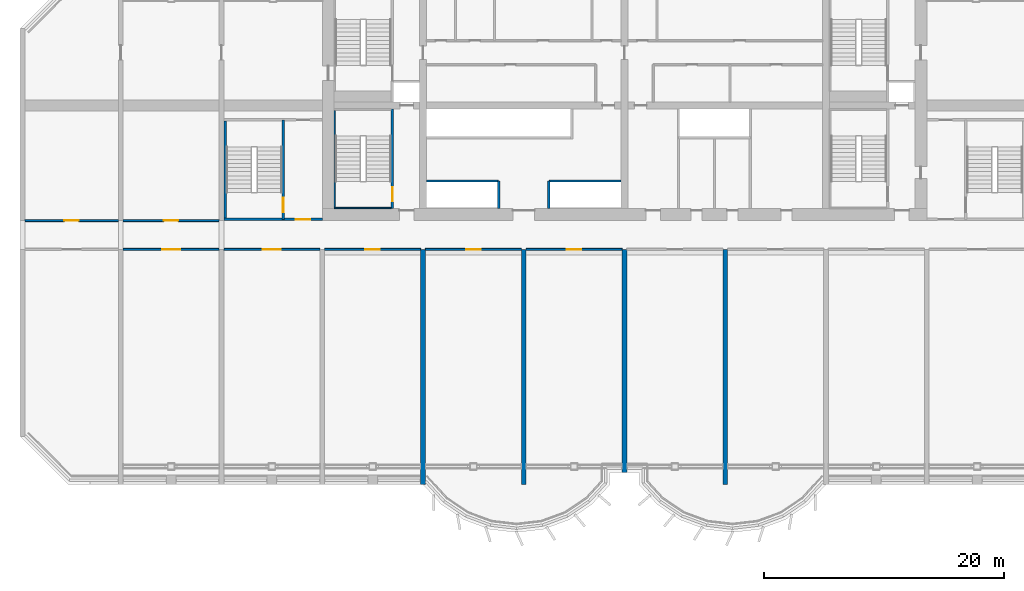
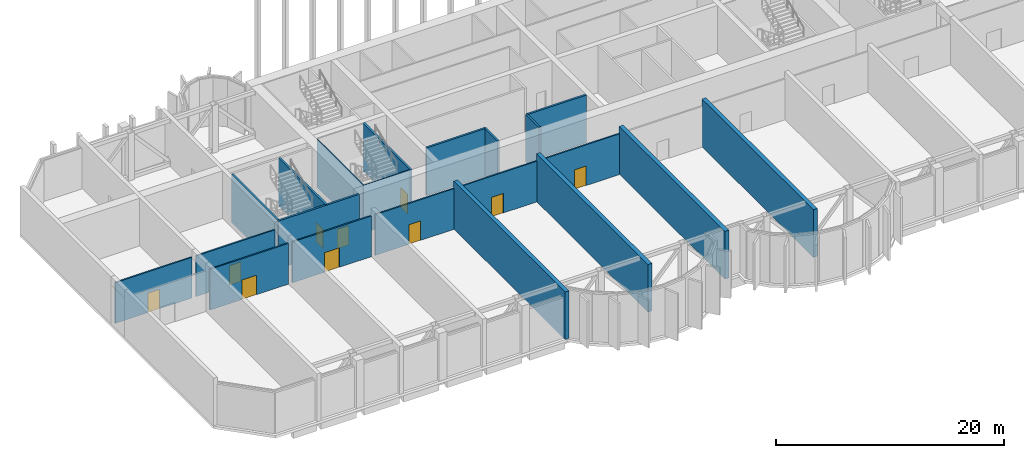
# One storey, part 5 of 17: 21 walls, 10 doors, 10 openings.
"""IFC4 building model written with IfcOpenShell, lengths in metres."""

from ifc_helpers import new_model, si_unit, direction, frame, frame_2d, origin, place, context, subcontext, project, spatial, rectangle, extrude, source, transform, mapped, material, layer, layer_set, type_object, element, fill, save


model = new_model("IFC4")

# Units and contexts
model_context = context("Model", 3, precision=1e-05, world=origin(), true_north=direction((0.0, 1.0)))
body_context = subcontext(model_context, "Body", "Model", "MODEL_VIEW")
ifc_project = project(units=[si_unit("LENGTHUNIT", "METRE"), si_unit("AREAUNIT", "SQUARE_METRE"), si_unit("VOLUMEUNIT", "CUBIC_METRE"), si_unit("PLANEANGLEUNIT", "RADIAN"), si_unit("MASSUNIT", "GRAM", prefix="KILO")], contexts=[model_context])

# Site, building, storey
site_placement = place(None, origin())
site = spatial("IfcSite", under=ifc_project, at=site_placement, CompositionType="ELEMENT")
building_placement = place(site_placement, origin())
building = spatial("IfcBuilding", under=site, at=building_placement, Name="Vanashikhar Sky Hotel", CompositionType="ELEMENT")
storey_placement = place(building_placement, frame((0.0, 0.0, 81.0)))
storey = spatial("IfcBuildingStorey", under=building, at=storey_placement, Name="L19", CompositionType="ELEMENT", Elevation=81.0)

# Walls
ifc_material_1 = material(Name="Concrete M80", Category="concrete")
ifc_layer_1 = layer(ifc_material_1, 0.39990234375)
ifc_layer_set_1 = layer_set([ifc_layer_1], Name="RC shear wall 400 Concrete M80")
wall_type_1 = type_object("IfcWallType", Name="RC shear wall 400 Concrete M80", PredefinedType="SHEAR", material=ifc_layer_set_1)
shared_shape_1 = source(origin(), body_context, "Body", "SweptSolid", [
    extrude(rectangle(XDim=19.60009765625, YDim=0.39990234375, at=frame_2d((9.800048828125, 0.0))), origin(), (0.0, 0.0, 1.0), 5.1201171875),
])
for number, where, z_axis, x_axis, name in (
    (1, (33.60009765625, 0.0, 0.0), (0.0, 0.0, 1.0), (0.0, 1.0, 0.0), "CW-L19-XW05-1"),
    (2, (42.0, 0.0, 0.0), (0.0, 0.0, 1.0), (0.0, 1.0, 0.0), "CW-L19-XW06-1"),
    (3, (58.800048828125, 0.0, 0.0), (0.0, 0.0, 1.0), (0.0, 1.0, 0.0), "CW-L19-XW08-1"),
):
    element("IfcWall", number, at=place(storey_placement, frame(where, z_axis=z_axis, x_axis=x_axis)), inside=storey, type_object=wall_type_1, Name=name, PredefinedType="SHEAR", context=body_context, shape_type="MappedRepresentation", body=[
        mapped(shared_shape_1, transform((0.0, 0.0, 0.0), scale=1.0)),
    ])
shared_shape_2 = source(origin(), body_context, "Body", "SweptSolid", [
    extrude(rectangle(XDim=18.60009765625, YDim=0.39990234375, at=frame_2d((9.300048828125, 0.0))), origin(), (0.0, 0.0, 1.0), 5.1201171875),
])
wall_1_placement = place(storey_placement, frame((50.39990234375, 1.0, 0.0), z_axis=(0.0, 0.0, 1.0), x_axis=(0.0, 1.0, 0.0)))
element("IfcWall", 4, at=wall_1_placement, inside=storey, type_object=wall_type_1, Name="CW-L19-XW07-1", PredefinedType="SHEAR", context=body_context, shape_type="MappedRepresentation", body=[
    mapped(shared_shape_2, transform((0.0, 0.0, 0.0), scale=1.0)),
])
ifc_material_2 = material(Name="Concrete M40", Category="concrete")
ifc_layer_2 = layer(ifc_material_2, 0.199951171875)
ifc_layer_set_2 = layer_set([ifc_layer_2], Name="Shaft wall 200")
wall_type_2 = type_object("IfcWallType", Name="Shaft wall 200", PredefinedType="SOLIDWALL", material=ifc_layer_set_2)
shared_shape_3 = source(origin(), body_context, "Body", "SweptSolid", [
    extrude(rectangle(XDim=6.0, YDim=0.199951171875, at=frame_2d((3.0, 0.0))), origin(), (0.0, 0.0, 1.0), 5.1201171875),
])
wall_2_placement = place(storey_placement, frame((44.10009765625, 25.300048828125, 0.0), z_axis=(0.0, 0.0, 1.0), x_axis=(1.0, 0.0, 0.0)))
element("IfcWall", 5, at=wall_2_placement, inside=storey, type_object=wall_type_2, Name="Shaft wall 200", PredefinedType="SOLIDWALL", context=body_context, shape_type="MappedRepresentation", body=[
    mapped(shared_shape_3, transform((0.0, 0.0, 0.0), scale=1.0)),
])

# Wall, opening, door
ifc_material_3 = material(Name="Concrete M50", Category="concrete")
ifc_layer_3 = layer(ifc_material_3, 0.199951171875)
ifc_layer_set_3 = layer_set([ifc_layer_3], Name="Stair wall 200")
wall_type_3 = type_object("IfcWallType", Name="Stair wall 200", PredefinedType="SOLIDWALL", material=ifc_layer_set_3)
shared_shape_4 = source(origin(), body_context, "Body", "SweptSolid", [
    extrude(rectangle(XDim=8.199951171875, YDim=0.199951171875, at=frame_2d((4.10009765625, 0.0))), origin(), (0.0, 0.0, 1.0), 5.1201171875),
])
wall_3_placement = place(storey_placement, frame((17.0, 22.10009765625, 0.0), z_axis=(0.0, 0.0, 1.0), x_axis=(1.0, 0.0, 0.0)))
wall_3 = element("IfcWall", 6, at=wall_3_placement, inside=storey, type_object=wall_type_3, Name="Stair wall 200", PredefinedType="SOLIDWALL", context=body_context, shape_type="MappedRepresentation", body=[
    mapped(shared_shape_4, transform((0.0, 0.0, 0.0), scale=1.0)),
])
shared_shape_5 = source(origin(), body_context, "Body", "SweptSolid", [
    extrude(rectangle(XDim=1.199951171875, YDim=2.10009765625, at=frame_2d((0.60009765625, 1.050048828125))), frame((0.0, 0.10986328125, 0.0), z_axis=(0.0, -1.0, 0.0), x_axis=(1.0, 0.0, 0.0)), (0.0, 0.0, 1.0), 0.219970703125),
])
opening_1_placement = place(wall_3_placement, frame((6.0, 0.0, 0.0)))
opening_1 = element("IfcOpeningElement", 7, at=opening_1_placement, cuts=wall_3, Name="Opening DC-2", PredefinedType="OPENING", context=body_context, shape_type="MappedRepresentation", body=[
    mapped(shared_shape_5, transform((0.0, 0.0, 0.0), scale=1.0)),
])
ifc_material_4 = material(Name="Steel", Category="steel")
door_type_1 = type_object("IfcDoorType", Name="Firefighting lobby door 1200 FD120", OperationType="NOTDEFINED", PredefinedType="DOOR", material=ifc_material_4)
shared_shape_6 = source(origin(), body_context, "Body", "SweptSolid", [
    extrude(rectangle(XDim=1.199951171875, YDim=2.10009765625, at=frame_2d((0.60009765625, 1.050048828125))), frame((0.0, 0.02490234375, 0.0), z_axis=(0.0, -1.0, 0.0), x_axis=(1.0, 0.0, 0.0)), (0.0, 0.0, 1.0), 0.050048828125),
])
door_1_placement = place(opening_1_placement, origin())
door_1 = element("IfcDoor", 8, at=door_1_placement, inside=storey, type_object=door_type_1, Name="Firefighting lobby door 1200 FD120", OperationType="SINGLE_SWING_RIGHT", OverallHeight=2.10009765625, OverallWidth=1.199951171875, PredefinedType="DOOR", context=body_context, shape_type="MappedRepresentation", body=[
    mapped(shared_shape_6, transform((0.0, 0.0, 0.0), scale=1.0)),
])
fill(opening_1, door_1)

shared_shape_7 = source(origin(), body_context, "Body", "SweptSolid", [
    extrude(rectangle(XDim=8.2998046875, YDim=0.199951171875, at=frame_2d((4.14990234375, 0.0))), origin(), (0.0, 0.0, 1.0), 5.1201171875),
])
wall_4_placement = place(storey_placement, frame((21.949951171875, 22.10009765625, 0.0), z_axis=(0.0, 0.0, 1.0), x_axis=(0.0, 1.0, 0.0)))
wall_4 = element("IfcWall", 9, at=wall_4_placement, inside=storey, type_object=wall_type_3, Name="Stair wall 200", PredefinedType="SOLIDWALL", context=body_context, shape_type="MappedRepresentation", body=[
    mapped(shared_shape_7, transform((0.0, 0.0, 0.0), scale=1.0)),
])
opening_2_placement = place(wall_4_placement, frame((0.60009765625, 0.0, 0.0)))
opening_2 = element("IfcOpeningElement", 10, at=opening_2_placement, cuts=wall_4, Name="Opening DC-1", PredefinedType="OPENING", context=body_context, shape_type="MappedRepresentation", body=[
    mapped(shared_shape_5, transform((0.0, 0.0, 0.0), scale=1.0)),
])
door_type_2 = type_object("IfcDoorType", Name="Stair door 1200 FD120", OperationType="NOTDEFINED", PredefinedType="DOOR", material=ifc_material_4)
door_2_placement = place(opening_2_placement, origin())
door_2 = element("IfcDoor", 11, at=door_2_placement, inside=storey, type_object=door_type_2, Name="Stair door 1200 FD120", OperationType="SINGLE_SWING_LEFT", OverallHeight=2.10009765625, OverallWidth=1.199951171875, PredefinedType="DOOR", context=body_context, shape_type="MappedRepresentation", body=[
    mapped(shared_shape_6, transform((0.0, 0.0, 0.0), scale=1.0)),
])
fill(opening_2, door_2)

# Walls
ifc_layer_4 = layer(ifc_material_3, 0.10009765625)
ifc_layer_set_4 = layer_set([ifc_layer_4], Name="Stair infill wall 100")
wall_type_4 = type_object("IfcWallType", Name="Stair infill wall 100", PredefinedType="SOLIDWALL", material=ifc_layer_set_4)
shared_shape_8 = source(origin(), body_context, "Body", "SweptSolid", [
    extrude(rectangle(XDim=4.75, YDim=0.10009765625, at=frame_2d((2.375, 0.0))), origin(), (0.0, 0.0, 1.0), 5.1201171875),
])
wall_5_placement = place(storey_placement, frame((26.199951171875, 23.050048828125, 0.0), z_axis=(0.0, 0.0, 1.0), x_axis=(1.0, 0.0, 0.0)))
element("IfcWall", 12, at=wall_5_placement, inside=storey, type_object=wall_type_4, Name="Stair infill wall 100", PredefinedType="SOLIDWALL", context=body_context, shape_type="MappedRepresentation", body=[
    mapped(shared_shape_8, transform((0.0, 0.0, 0.0), scale=1.0)),
])
shared_shape_9 = source(origin(), body_context, "Body", "SweptSolid", [
    extrude(rectangle(XDim=8.099853515625, YDim=0.10009765625, at=frame_2d((4.0498046875, 0.0))), origin(), (0.0, 0.0, 1.0), 5.1201171875),
])
wall_6_placement = place(storey_placement, frame((26.25, 23.10009765625, 0.0), z_axis=(0.0, 0.0, 1.0), x_axis=(0.0, 1.0, 0.0)))
element("IfcWall", 13, at=wall_6_placement, inside=storey, type_object=wall_type_4, Name="Stair infill wall 100", PredefinedType="SOLIDWALL", context=body_context, shape_type="MappedRepresentation", body=[
    mapped(shared_shape_9, transform((0.0, 0.0, 0.0), scale=1.0)),
])
shared_shape_10 = source(origin(), body_context, "Body", "SweptSolid", [
    extrude(rectangle(XDim=6.02490234375, YDim=0.199951171875, at=frame_2d((3.012451171875, 0.0))), origin(), (0.0, 0.0, 1.0), 5.1201171875),
])
wall_7_placement = place(storey_placement, frame((33.875, 25.300048828125, 0.0), z_axis=(0.0, 0.0, 1.0), x_axis=(1.0, 0.0, 0.0)))
element("IfcWall", 14, at=wall_7_placement, inside=storey, type_object=wall_type_2, Name="Shaft wall 200", PredefinedType="SOLIDWALL", context=body_context, shape_type="MappedRepresentation", body=[
    mapped(shared_shape_10, transform((0.0, 0.0, 0.0), scale=1.0)),
])
shared_shape_11 = source(origin(), body_context, "Body", "SweptSolid", [
    extrude(rectangle(XDim=2.300048828125, YDim=0.199951171875, at=frame_2d((1.14990234375, 0.0))), origin(), (0.0, 0.0, 1.0), 5.1201171875),
])
for number, where, z_axis, x_axis, name in (
    (15, (39.89990234375, 23.0, 0.0), (0.0, 0.0, 1.0), (0.0, 1.0, 0.0), "Shaft wall 200"),
    (16, (44.10009765625, 23.0, 0.0), (0.0, 0.0, 1.0), (0.0, 1.0, 0.0), "Shaft wall 200"),
):
    element("IfcWall", number, at=place(storey_placement, frame(where, z_axis=z_axis, x_axis=x_axis)), inside=storey, type_object=wall_type_2, Name=name, PredefinedType="SOLIDWALL", context=body_context, shape_type="MappedRepresentation", body=[
        mapped(shared_shape_11, transform((0.0, 0.0, 0.0), scale=1.0)),
    ])

# Wall, opening, door
shared_shape_12 = source(origin(), body_context, "Body", "SweptSolid", [
    extrude(rectangle(XDim=8.324951171875, YDim=0.199951171875, at=frame_2d((4.16259765625, 0.0))), origin(), (0.0, 0.0, 1.0), 5.1201171875),
])
wall_8_placement = place(storey_placement, frame((31.050048828125, 23.0, 0.0), z_axis=(0.0, 0.0, 1.0), x_axis=(0.0, 1.0, 0.0)))
wall_8 = element("IfcWall", 17, at=wall_8_placement, inside=storey, type_object=wall_type_3, Name="Stair wall 200", PredefinedType="SOLIDWALL", context=body_context, shape_type="MappedRepresentation", body=[
    mapped(shared_shape_12, transform((0.0, 0.0, 0.0), scale=1.0)),
])
opening_3_placement = place(wall_8_placement, frame((0.60009765625, 0.0, 0.0)))
opening_3 = element("IfcOpeningElement", 18, at=opening_3_placement, cuts=wall_8, Name="Opening DC-1", PredefinedType="OPENING", context=body_context, shape_type="MappedRepresentation", body=[
    mapped(shared_shape_5, transform((0.0, 0.0, 0.0), scale=1.0)),
])
door_3_placement = place(opening_3_placement, origin())
door_3 = element("IfcDoor", 19, at=door_3_placement, inside=storey, type_object=door_type_2, Name="Stair door 1200 FD120", OperationType="SINGLE_SWING_LEFT", OverallHeight=2.10009765625, OverallWidth=1.199951171875, PredefinedType="DOOR", context=body_context, shape_type="MappedRepresentation", body=[
    mapped(shared_shape_6, transform((0.0, 0.0, 0.0), scale=1.0)),
])
fill(opening_3, door_3)

# Wall
ifc_layer_5 = layer(ifc_material_3, 0.199951171875)
ifc_layer_set_5 = layer_set([ifc_layer_5], Name="Stair infill wall 200")
wall_type_5 = type_object("IfcWallType", Name="Stair infill wall 200", PredefinedType="SOLIDWALL", material=ifc_layer_set_5)
shared_shape_13 = source(origin(), body_context, "Body", "SweptSolid", [
    extrude(rectangle(XDim=8.10009765625, YDim=0.199951171875, at=frame_2d((4.050048828125, 0.0))), origin(), (0.0, 0.0, 1.0), 5.1201171875),
])
wall_9_placement = place(storey_placement, frame((17.10009765625, 22.199951171875, 0.0), z_axis=(0.0, 0.0, 1.0), x_axis=(0.0, 1.0, 0.0)))
element("IfcWall", 20, at=wall_9_placement, inside=storey, type_object=wall_type_5, Name="Stair infill wall 200", PredefinedType="SOLIDWALL", context=body_context, shape_type="MappedRepresentation", body=[
    mapped(shared_shape_13, transform((0.0, 0.0, 0.0), scale=1.0)),
])

# Wall, opening, door
ifc_material_5 = material(Name="Gypsum board partition")
ifc_layer_6 = layer(ifc_material_5, 0.14990234375)
ifc_layer_set_6 = layer_set([ifc_layer_6], Name="Service partition 150")
wall_type_6 = type_object("IfcWallType", Name="Service partition 150", PredefinedType="PARTITIONING", material=ifc_layer_set_6)
shared_shape_14 = source(origin(), body_context, "Body", "SweptSolid", [
    extrude(rectangle(XDim=7.800048828125, YDim=0.14990234375, at=frame_2d((3.89990234375, 0.0))), origin(), (0.0, 0.0, 1.0), 4.3701171875),
])
wall_10_placement = place(storey_placement, frame((0.39990234375, 22.0, 0.0), z_axis=(0.0, 0.0, 1.0), x_axis=(1.0, 0.0, 0.0)))
wall_10 = element("IfcWall", 21, at=wall_10_placement, inside=storey, type_object=wall_type_6, Name="Service partition 150", PredefinedType="PARTITIONING", context=body_context, shape_type="MappedRepresentation", body=[
    mapped(shared_shape_14, transform((0.0, 0.0, 0.0), scale=1.0)),
])
shared_shape_15 = source(origin(), body_context, "Body", "SweptSolid", [
    extrude(rectangle(XDim=1.199951171875, YDim=2.10009765625, at=frame_2d((0.60009765625, 1.050048828125))), frame((0.0, 0.0849609375, 0.0), z_axis=(0.0, -1.0, 0.0), x_axis=(1.0, 0.0, 0.0)), (0.0, 0.0, 1.0), 0.169921875),
])
opening_4_placement = place(wall_10_placement, frame((3.300048828125, 0.0, 0.0)))
opening_4 = element("IfcOpeningElement", 22, at=opening_4_placement, cuts=wall_10, Name="Opening DC-4-D", PredefinedType="OPENING", context=body_context, shape_type="MappedRepresentation", body=[
    mapped(shared_shape_15, transform((0.0, 0.0, 0.0), scale=1.0)),
])
door_type_3 = type_object("IfcDoorType", Name="Service door 1200 FD120", OperationType="NOTDEFINED", PredefinedType="DOOR", material=ifc_material_4)
door_4_placement = place(opening_4_placement, origin())
door_4 = element("IfcDoor", 23, at=door_4_placement, inside=storey, type_object=door_type_3, Name="Service door 1200 FD120", OperationType="SINGLE_SWING_RIGHT", OverallHeight=2.10009765625, OverallWidth=1.199951171875, PredefinedType="DOOR", context=body_context, shape_type="MappedRepresentation", body=[
    mapped(shared_shape_6, transform((0.0, 0.0, 0.0), scale=1.0)),
])
fill(opening_4, door_4)

shared_shape_16 = source(origin(), body_context, "Body", "SweptSolid", [
    extrude(rectangle(XDim=8.0, YDim=0.14990234375, at=frame_2d((4.0, 0.0))), origin(), (0.0, 0.0, 1.0), 4.3701171875),
])
wall_11_placement = place(storey_placement, frame((8.60009765625, 19.60009765625, 0.0), z_axis=(0.0, 0.0, 1.0), x_axis=(1.0, 0.0, 0.0)))
wall_11 = element("IfcWall", 24, at=wall_11_placement, inside=storey, type_object=wall_type_6, Name="Service partition 150", PredefinedType="PARTITIONING", context=body_context, shape_type="MappedRepresentation", body=[
    mapped(shared_shape_16, transform((0.0, 0.0, 0.0), scale=1.0)),
])
shared_shape_17 = source(origin(), body_context, "Body", "SweptSolid", [
    extrude(rectangle(XDim=1.5, YDim=2.10009765625, at=frame_2d((0.75, 1.050048828125))), frame((0.0, 0.0849609375, 0.0), z_axis=(0.0, -1.0, 0.0), x_axis=(1.0, 0.0, 0.0)), (0.0, 0.0, 1.0), 0.169921875),
])
opening_5_placement = place(wall_11_placement, frame((3.25, 0.0, 0.0)))
opening_5 = element("IfcOpeningElement", 25, at=opening_5_placement, cuts=wall_11, Name="Opening DC-4-E", PredefinedType="OPENING", context=body_context, shape_type="MappedRepresentation", body=[
    mapped(shared_shape_17, transform((0.0, 0.0, 0.0), scale=1.0)),
])
door_type_4 = type_object("IfcDoorType", Name="Service door 1500 FD60", OperationType="NOTDEFINED", PredefinedType="DOOR", material=ifc_material_4)
shared_shape_18 = source(origin(), body_context, "Body", "SweptSolid", [
    extrude(rectangle(XDim=1.5, YDim=2.10009765625, at=frame_2d((0.75, 1.050048828125))), frame((0.0, 0.02490234375, 0.0), z_axis=(0.0, -1.0, 0.0), x_axis=(1.0, 0.0, 0.0)), (0.0, 0.0, 1.0), 0.050048828125),
])
door_5_placement = place(opening_5_placement, origin())
door_5 = element("IfcDoor", 26, at=door_5_placement, inside=storey, type_object=door_type_4, Name="Service door 1500 FD60", OperationType="SINGLE_SWING_RIGHT", OverallHeight=2.10009765625, OverallWidth=1.5, PredefinedType="DOOR", context=body_context, shape_type="MappedRepresentation", body=[
    mapped(shared_shape_18, transform((0.0, 0.0, 0.0), scale=1.0)),
])
fill(opening_5, door_5)

wall_12_placement = place(storey_placement, frame((17.0, 19.60009765625, 0.0), z_axis=(0.0, 0.0, 1.0), x_axis=(1.0, 0.0, 0.0)))
wall_12 = element("IfcWall", 27, at=wall_12_placement, inside=storey, type_object=wall_type_6, Name="Service partition 150", PredefinedType="PARTITIONING", context=body_context, shape_type="MappedRepresentation", body=[
    mapped(shared_shape_16, transform((0.0, 0.0, 0.0), scale=1.0)),
])
opening_6_placement = place(wall_12_placement, frame((3.25, 0.0, 0.0)))
opening_6 = element("IfcOpeningElement", 28, at=opening_6_placement, cuts=wall_12, Name="Opening DC-4-E", PredefinedType="OPENING", context=body_context, shape_type="MappedRepresentation", body=[
    mapped(shared_shape_17, transform((0.0, 0.0, 0.0), scale=1.0)),
])
door_6_placement = place(opening_6_placement, origin())
door_6 = element("IfcDoor", 29, at=door_6_placement, inside=storey, type_object=door_type_4, Name="Service door 1500 FD60", OperationType="SINGLE_SWING_LEFT", OverallHeight=2.10009765625, OverallWidth=1.5, PredefinedType="DOOR", context=body_context, shape_type="MappedRepresentation", body=[
    mapped(shared_shape_18, transform((0.0, 0.0, 0.0), scale=1.0)),
])
fill(opening_6, door_6)

wall_13_placement = place(storey_placement, frame((25.39990234375, 19.60009765625, 0.0), z_axis=(0.0, 0.0, 1.0), x_axis=(1.0, 0.0, 0.0)))
wall_13 = element("IfcWall", 30, at=wall_13_placement, inside=storey, type_object=wall_type_6, Name="Service partition 150", PredefinedType="PARTITIONING", context=body_context, shape_type="MappedRepresentation", body=[
    mapped(shared_shape_16, transform((0.0, 0.0, 0.0), scale=1.0)),
])
opening_7_placement = place(wall_13_placement, frame((3.39990234375, 0.0, 0.0)))
opening_7 = element("IfcOpeningElement", 31, at=opening_7_placement, cuts=wall_13, Name="Opening DC-4-D", PredefinedType="OPENING", context=body_context, shape_type="MappedRepresentation", body=[
    mapped(shared_shape_15, transform((0.0, 0.0, 0.0), scale=1.0)),
])
door_7_placement = place(opening_7_placement, origin())
door_7 = element("IfcDoor", 32, at=door_7_placement, inside=storey, type_object=door_type_3, Name="Service door 1200 FD120", OperationType="SINGLE_SWING_RIGHT", OverallHeight=2.10009765625, OverallWidth=1.199951171875, PredefinedType="DOOR", context=body_context, shape_type="MappedRepresentation", body=[
    mapped(shared_shape_6, transform((0.0, 0.0, 0.0), scale=1.0)),
])
fill(opening_7, door_7)

wall_14_placement = place(storey_placement, frame((33.800048828125, 19.60009765625, 0.0), z_axis=(0.0, 0.0, 1.0), x_axis=(1.0, 0.0, 0.0)))
wall_14 = element("IfcWall", 33, at=wall_14_placement, inside=storey, type_object=wall_type_6, Name="Service partition 150", PredefinedType="PARTITIONING", context=body_context, shape_type="MappedRepresentation", body=[
    mapped(shared_shape_16, transform((0.0, 0.0, 0.0), scale=1.0)),
])
opening_8_placement = place(wall_14_placement, frame((3.39990234375, 0.0, 0.0)))
opening_8 = element("IfcOpeningElement", 34, at=opening_8_placement, cuts=wall_14, Name="Opening DC-4-D", PredefinedType="OPENING", context=body_context, shape_type="MappedRepresentation", body=[
    mapped(shared_shape_15, transform((0.0, 0.0, 0.0), scale=1.0)),
])
door_8_placement = place(opening_8_placement, origin())
door_8 = element("IfcDoor", 35, at=door_8_placement, inside=storey, type_object=door_type_3, Name="Service door 1200 FD120", OperationType="SINGLE_SWING_LEFT", OverallHeight=2.10009765625, OverallWidth=1.199951171875, PredefinedType="DOOR", context=body_context, shape_type="MappedRepresentation", body=[
    mapped(shared_shape_6, transform((0.0, 0.0, 0.0), scale=1.0)),
])
fill(opening_8, door_8)

wall_15_placement = place(storey_placement, frame((42.199951171875, 19.60009765625, 0.0), z_axis=(0.0, 0.0, 1.0), x_axis=(1.0, 0.0, 0.0)))
wall_15 = element("IfcWall", 36, at=wall_15_placement, inside=storey, type_object=wall_type_6, Name="Service partition 150", PredefinedType="PARTITIONING", context=body_context, shape_type="MappedRepresentation", body=[
    mapped(shared_shape_16, transform((0.0, 0.0, 0.0), scale=1.0)),
])
opening_9_placement = place(wall_15_placement, frame((3.39990234375, 0.0, 0.0)))
opening_9 = element("IfcOpeningElement", 37, at=opening_9_placement, cuts=wall_15, Name="Opening DC-4-D", PredefinedType="OPENING", context=body_context, shape_type="MappedRepresentation", body=[
    mapped(shared_shape_15, transform((0.0, 0.0, 0.0), scale=1.0)),
])
door_9_placement = place(opening_9_placement, origin())
door_9 = element("IfcDoor", 38, at=door_9_placement, inside=storey, type_object=door_type_3, Name="Service door 1200 FD120", OperationType="SINGLE_SWING_RIGHT", OverallHeight=2.10009765625, OverallWidth=1.199951171875, PredefinedType="DOOR", context=body_context, shape_type="MappedRepresentation", body=[
    mapped(shared_shape_6, transform((0.0, 0.0, 0.0), scale=1.0)),
])
fill(opening_9, door_9)

wall_16_placement = place(storey_placement, frame((8.60009765625, 22.0, 0.0), z_axis=(0.0, 0.0, 1.0), x_axis=(1.0, 0.0, 0.0)))
wall_16 = element("IfcWall", 39, at=wall_16_placement, inside=storey, type_object=wall_type_6, Name="Service partition 150", PredefinedType="PARTITIONING", context=body_context, shape_type="MappedRepresentation", body=[
    mapped(shared_shape_16, transform((0.0, 0.0, 0.0), scale=1.0)),
])
opening_10_placement = place(wall_16_placement, frame((3.39990234375, 0.0, 0.0)))
opening_10 = element("IfcOpeningElement", 40, at=opening_10_placement, cuts=wall_16, Name="Opening DC-4-D", PredefinedType="OPENING", context=body_context, shape_type="MappedRepresentation", body=[
    mapped(shared_shape_15, transform((0.0, 0.0, 0.0), scale=1.0)),
])
door_10_placement = place(opening_10_placement, origin())
door_10 = element("IfcDoor", 41, at=door_10_placement, inside=storey, type_object=door_type_3, Name="Service door 1200 FD120", OperationType="SINGLE_SWING_RIGHT", OverallHeight=2.10009765625, OverallWidth=1.199951171875, PredefinedType="DOOR", context=body_context, shape_type="MappedRepresentation", body=[
    mapped(shared_shape_6, transform((0.0, 0.0, 0.0), scale=1.0)),
])
fill(opening_10, door_10)

save(model, "model.ifc")
